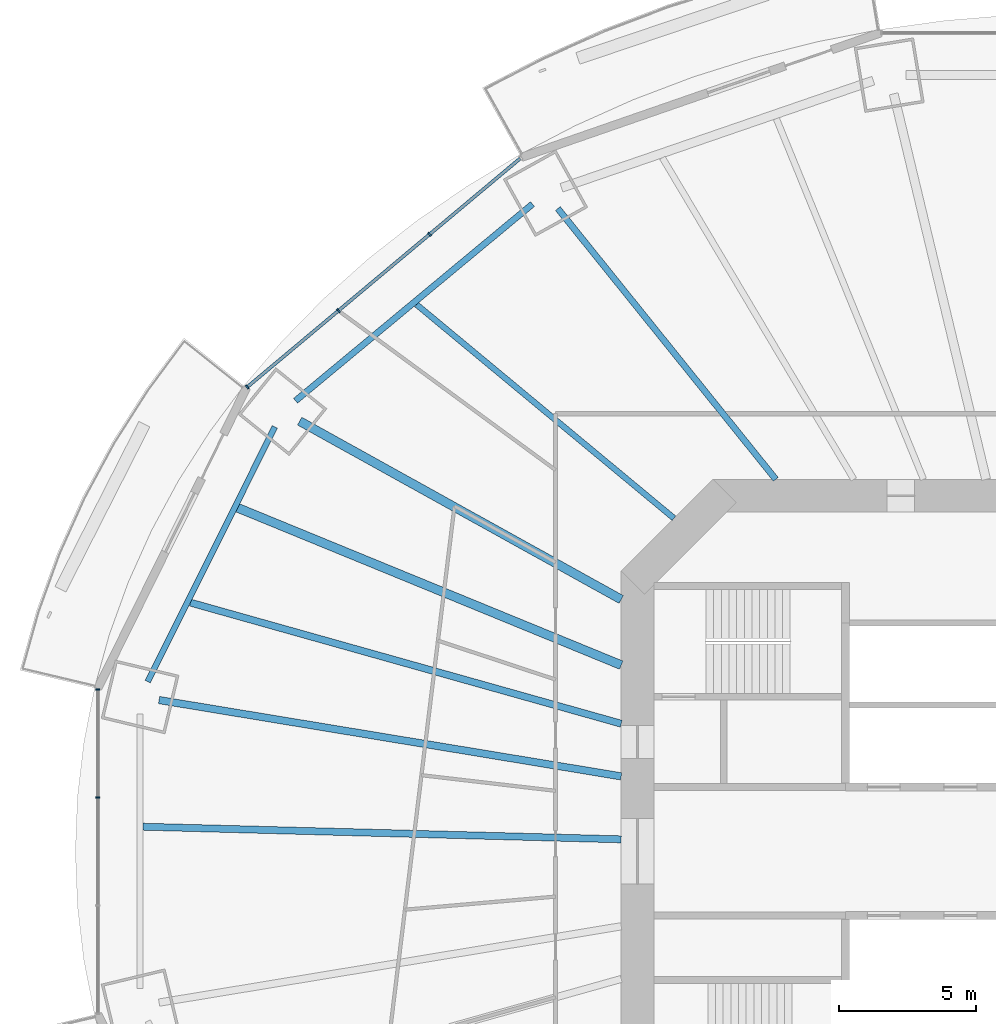
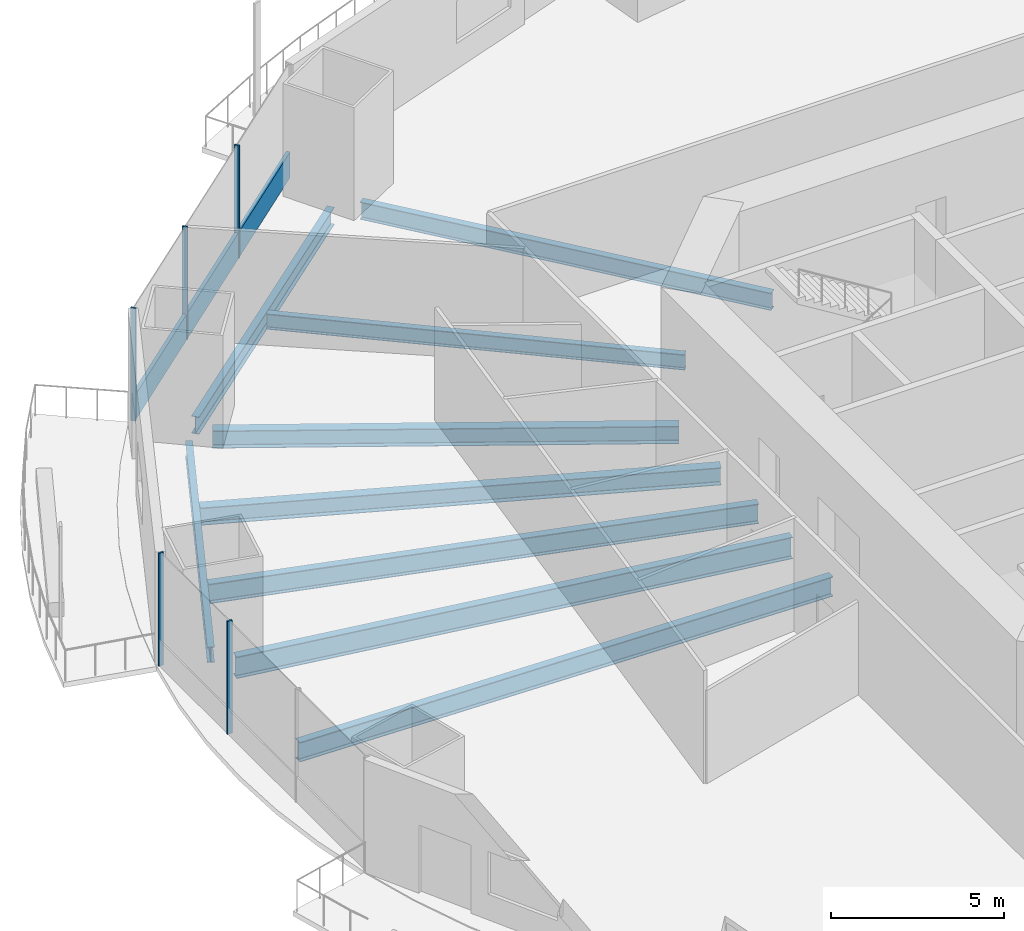
# One storey, part 6 of 23: 9 beams, 6 members, 2 elements without a shape of their own.
"""IFC4 building model written with IfcOpenShell, lengths in metres."""

from ifc_helpers import new_model, si_unit, direction, frame, origin, origin_2d, place, context, subcontext, project, spatial, rectangle, i_section, extrude, material, material_profile, profile_set, type_object, element, aggregate, save


model = new_model("IFC4")

# Units and contexts
model_context = context("Model", 3, precision=1e-05, world=origin(), true_north=direction((0.0, 1.0)))
body_context = subcontext(model_context, "Body", "Model", "MODEL_VIEW")
ifc_project = project(units=[si_unit("LENGTHUNIT", "METRE"), si_unit("AREAUNIT", "SQUARE_METRE"), si_unit("VOLUMEUNIT", "CUBIC_METRE"), si_unit("PLANEANGLEUNIT", "RADIAN"), si_unit("MASSUNIT", "GRAM", prefix="KILO")], contexts=[model_context])

# Site, building, storey
site_placement = place(None, origin())
site = spatial("IfcSite", under=ifc_project, at=site_placement, CompositionType="ELEMENT")
building_placement = place(site_placement, origin())
building = spatial("IfcBuilding", under=site, at=building_placement, Name="Marenthal Gate Tower", CompositionType="ELEMENT")
storey_placement = place(building_placement, frame((0.0, 0.0, 45.449951171875)))
storey = spatial("IfcBuildingStorey", under=building, at=storey_placement, Name="L07", CompositionType="ELEMENT", Elevation=45.449951171875)

# Curtain wall, members
ifc_material_1 = material(Name="Aluminium and glass", Category="aluminium")
curtain_wall_type = type_object("IfcCurtainWallType", Name="Curtain wall typical low", PredefinedType="NOTDEFINED", material=ifc_material_1)
curtain_wall_1_placement = place(storey_placement, origin())
curtain_wall_1 = element("IfcCurtainWall", 1, at=curtain_wall_1_placement, inside=storey, type_object=curtain_wall_type, Name="Curtain wall L07 bay 6", PredefinedType="NOTDEFINED")
ifc_material_2 = material(Name="Aluminium", Category="aluminium")
ifc_material_profile_1 = material_profile(ifc_material_2, rectangle(XDim=0.159912109375, YDim=0.06005859375, at=origin_2d()), Name="60x160 aluminium mullion")
ifc_profile_set_1 = profile_set([ifc_material_profile_1], Name="Aluminium")
member_type_1 = type_object("IfcMemberType", Name="Mullion 60x160 typical low", PredefinedType="MULLION", material=ifc_profile_set_1)
member_1_placement = place(storey_placement, frame((-23.6025390625, 22.5595703125, 0.0), z_axis=(0.0, 0.0, 1.0), x_axis=(0.642047277641, -0.766665046336, 0.0)))
member_1 = element("IfcMember", 2, at=member_1_placement, type_object=member_type_1, Name="Mullion L07 bay 6.2", PredefinedType="MULLION", context=body_context, shape_type="SweptSolid", body=[
    extrude(rectangle(XDim=0.159912109375, YDim=0.06005859375, at=origin_2d()), origin(), (0.0, 0.0, 1.0), 3.969970703125),
])
member_2_placement = place(storey_placement, frame((-26.938232421875, 19.76611328125, 0.0), z_axis=(0.0, 0.0, 1.0), x_axis=(0.642047277641, -0.766665046336, 0.0)))
member_2 = element("IfcMember", 3, at=member_2_placement, type_object=member_type_1, Name="Mullion L07 bay 6.3", PredefinedType="MULLION", context=body_context, shape_type="SweptSolid", body=[
    extrude(rectangle(XDim=0.159912109375, YDim=0.06005859375, at=origin_2d()), origin(), (0.0, 0.0, 1.0), 3.969970703125),
])
member_3_placement = place(storey_placement, frame((-30.274169921875, 16.972412109375, 0.0), z_axis=(0.0, 0.0, 1.0), x_axis=(0.642047277641, -0.766665046336, 0.0)))
member_3 = element("IfcMember", 4, at=member_3_placement, type_object=member_type_1, Name="Mullion L07 bay 6.4", PredefinedType="MULLION", context=body_context, shape_type="SweptSolid", body=[
    extrude(rectangle(XDim=0.159912109375, YDim=0.06005859375, at=origin_2d()), origin(), (0.0, 0.0, 1.0), 3.969970703125),
])

curtain_wall_2_placement = place(storey_placement, origin())
curtain_wall_2 = element("IfcCurtainWall", 5, at=curtain_wall_2_placement, inside=storey, type_object=curtain_wall_type, Name="Curtain wall L07 bay 8", PredefinedType="NOTDEFINED")
member_4_placement = place(storey_placement, frame((-35.73779296875, 5.923095703125, 0.0), z_axis=(0.0, 0.0, 1.0), x_axis=(1.0, 0.0, 0.0)))
member_4 = element("IfcMember", 6, at=member_4_placement, type_object=member_type_1, Name="Mullion L07 bay 8.1", PredefinedType="MULLION", context=body_context, shape_type="SweptSolid", body=[
    extrude(rectangle(XDim=0.159912109375, YDim=0.06005859375, at=origin_2d()), origin(), (0.0, 0.0, 1.0), 3.969970703125),
])
member_5_placement = place(storey_placement, frame((-35.73779296875, 1.974365234375, 0.0), z_axis=(0.0, 0.0, 1.0), x_axis=(1.0, 0.0, 0.0)))
member_5 = element("IfcMember", 7, at=member_5_placement, type_object=member_type_1, Name="Mullion L07 bay 8.2", PredefinedType="MULLION", context=body_context, shape_type="SweptSolid", body=[
    extrude(rectangle(XDim=0.159912109375, YDim=0.06005859375, at=origin_2d()), origin(), (0.0, 0.0, 1.0), 3.969970703125),
])
aggregate(curtain_wall_2, [member_4, member_5])

# Member
ifc_material_3 = material(Name="Aluminium", Category="aluminium")
ifc_material_profile_2 = material_profile(ifc_material_3, rectangle(XDim=0.1201171875, YDim=0.89990234375, at=origin_2d()), Name="120x900 aluminium transom")
ifc_profile_set_2 = profile_set([ifc_material_profile_2], Name="Aluminium")
member_type_2 = type_object("IfcMemberType", Name="Transom 120x900 typical low", PredefinedType="USERDEFINED", material=ifc_profile_set_2)
member_6_placement = place(storey_placement, frame((-20.289794921875, 25.333740234375, 0.449951171875), z_axis=(-0.766672707648, -0.6420381292, 0.0), x_axis=(0.6420381292, -0.766672707648, 0.0)))
member_6 = element("IfcMember", 8, at=member_6_placement, type_object=member_type_2, Name="Transom L07 bay 6", ObjectType="TRANSOM", PredefinedType="USERDEFINED", context=body_context, shape_type="SweptSolid", body=[
    extrude(rectangle(XDim=0.1201171875, YDim=0.89990234375, at=origin_2d()), origin(), (0.0, 0.0, 1.0), 12.9931640625),
])

aggregate(curtain_wall_1, [member_1, member_2, member_3, member_6])

# Beams
ifc_material_4 = material(Name="Steel S355", Category="steel")
ifc_material_profile_3 = material_profile(ifc_material_4, i_section(OverallWidth=0.2119140625, OverallDepth=0.5439453125, WebThickness=0.01318359375, FlangeThickness=0.021240234375, FilletRadius=0.0126953125, at=origin_2d()), Name="W530X123")
ifc_profile_set_3 = profile_set([ifc_material_profile_3], Name="Steel S355")
beam_type_1 = type_object("IfcBeamType", Name="W530X123 beam", PredefinedType="BEAM", material=ifc_profile_set_3)
beam_1_placement = place(storey_placement, frame((-24.085205078125, 19.99267578125, -0.451904296875), z_axis=(0.769446518411, -0.638711245639, 0.0), x_axis=(0.638711245639, 0.769446518411, 0.0)))
element("IfcBeam", 9, at=beam_1_placement, inside=storey, type_object=beam_type_1, Name="BM-L07-25", PredefinedType="BEAM", context=body_context, shape_type="SweptSolid", body=[
    extrude(i_section(OverallWidth=0.2119140625, OverallDepth=0.5439453125, WebThickness=0.01318359375, FlangeThickness=0.021240234375, FilletRadius=0.0126953125, at=origin_2d()), origin(), (0.0, 0.0, 1.0), 12.235595703125),
])
beam_2_placement = place(storey_placement, frame((-29.2626953125, 15.515380859375, -0.451904296875), z_axis=(-0.446499954542, -0.894783655748, 0.0), x_axis=(0.894783655748, -0.446499954542, 0.0)))
element("IfcBeam", 10, at=beam_2_placement, inside=storey, type_object=beam_type_1, Name="BM-L07-47", PredefinedType="BEAM", context=body_context, shape_type="SweptSolid", body=[
    extrude(i_section(OverallWidth=0.2119140625, OverallDepth=0.5439453125, WebThickness=0.01318359375, FlangeThickness=0.021240234375, FilletRadius=0.0126953125, at=origin_2d()), origin(), (0.0, 0.0, 1.0), 10.402099609375),
])
ifc_material_5 = material(Name="Steel S355", Category="steel")
ifc_material_profile_4 = material_profile(ifc_material_5, i_section(OverallWidth=0.22900390625, OverallDepth=0.612060546875, WebThickness=0.011962890625, FlangeThickness=0.01953125, FilletRadius=0.0126953125, at=origin_2d()), Name="W610X125")
ifc_profile_set_4 = profile_set([ifc_material_profile_4], Name="Steel S355")
beam_type_2 = type_object("IfcBeamType", Name="W610X125 beam", PredefinedType="BEAM", material=ifc_profile_set_4)
beam_3_placement = place(storey_placement, frame((-18.916015625, 23.49951171875, -0.48583984375), z_axis=(0.627042105716, -0.778985364214, 0.0), x_axis=(0.778985364214, 0.627042105716, 0.0)))
element("IfcBeam", 11, at=beam_3_placement, inside=storey, type_object=beam_type_2, Name="BM-L07-06", PredefinedType="BEAM", context=body_context, shape_type="SweptSolid", body=[
    extrude(i_section(OverallWidth=0.22900390625, OverallDepth=0.612060546875, WebThickness=0.011962890625, FlangeThickness=0.01953125, FilletRadius=0.0126953125, at=origin_2d()), origin(), (0.0, 0.0, 1.0), 12.7080078125),
])
beam_4_placement = place(storey_placement, frame((-19.8427734375, 23.6630859375, -0.48583984375), z_axis=(-0.76943582663, -0.638724125658, 0.0), x_axis=(0.638724125658, -0.76943582663, 0.0)))
element("IfcBeam", 12, at=beam_4_placement, inside=storey, type_object=beam_type_2, Name="BM-L07-46", PredefinedType="BEAM", context=body_context, shape_type="SweptSolid", body=[
    extrude(i_section(OverallWidth=0.22900390625, OverallDepth=0.612060546875, WebThickness=0.011962890625, FlangeThickness=0.01953125, FilletRadius=0.0126953125, at=origin_2d()), origin(), (0.0, 0.0, 1.0), 11.257080078125),
])
ifc_material_6 = material(Name="Steel S355", Category="steel")
ifc_material_profile_5 = material_profile(ifc_material_6, i_section(OverallWidth=0.324951171875, OverallDepth=0.612060546875, WebThickness=0.0126953125, FlangeThickness=0.01904296875, FilletRadius=0.0126953125, at=origin_2d()), Name="W610X155")
ifc_profile_set_5 = profile_set([ifc_material_profile_5], Name="Steel S355")
beam_type_3 = type_object("IfcBeamType", Name="W610X155 beam", PredefinedType="BEAM", material=ifc_profile_set_5)
beam_5_placement = place(storey_placement, frame((-28.355712890625, 15.727294921875, -0.48583984375), z_axis=(0.874492882968, -0.485038346565, 0.0), x_axis=(0.485038346565, 0.874492882968, 0.0)))
element("IfcBeam", 13, at=beam_5_placement, inside=storey, type_object=beam_type_3, Name="BM-L07-07", PredefinedType="BEAM", context=body_context, shape_type="SweptSolid", body=[
    extrude(i_section(OverallWidth=0.324951171875, OverallDepth=0.612060546875, WebThickness=0.0126953125, FlangeThickness=0.01904296875, FilletRadius=0.0126953125, at=origin_2d()), origin(), (0.0, 0.0, 1.0), 13.44287109375),
])
beam_6_placement = place(storey_placement, frame((-30.6201171875, 12.55810546875, -0.48583984375), z_axis=(0.925210391668, -0.379454517894, 0.0), x_axis=(0.379454517894, 0.925210391668, 0.0)))
element("IfcBeam", 14, at=beam_6_placement, inside=storey, type_object=beam_type_3, Name="BM-L07-26", PredefinedType="BEAM", context=body_context, shape_type="SweptSolid", body=[
    extrude(i_section(OverallWidth=0.324951171875, OverallDepth=0.612060546875, WebThickness=0.0126953125, FlangeThickness=0.01904296875, FilletRadius=0.0126953125, at=origin_2d()), origin(), (0.0, 0.0, 1.0), 15.1533203125),
])
ifc_material_7 = material(Name="Steel S355", Category="steel")
ifc_material_profile_6 = material_profile(ifc_material_7, i_section(OverallWidth=0.257080078125, OverallDepth=0.693115234375, WebThickness=0.014404296875, FlangeThickness=0.023681640625, FilletRadius=0.015380859375, at=origin_2d()), Name="W690X170")
ifc_profile_set_6 = profile_set([ifc_material_profile_6], Name="Steel S355")
beam_type_4 = type_object("IfcBeamType", Name="W690X170 beam", PredefinedType="BEAM", material=ifc_profile_set_6)
beam_7_placement = place(storey_placement, frame((-32.349365234375, 9.092529296875, -0.5263671875), z_axis=(0.962694320478, -0.27059128833, 0.0), x_axis=(0.27059128833, 0.962694320478, 0.0)))
element("IfcBeam", 15, at=beam_7_placement, inside=storey, type_object=beam_type_4, Name="BM-L07-27", PredefinedType="BEAM", context=body_context, shape_type="SweptSolid", body=[
    extrude(i_section(OverallWidth=0.257080078125, OverallDepth=0.693115234375, WebThickness=0.014404296875, FlangeThickness=0.023681640625, FilletRadius=0.015380859375, at=origin_2d()), origin(), (0.0, 0.0, 1.0), 16.359619140625),
])
beam_8_placement = place(storey_placement, frame((-34.082275390625, 0.900390625, -0.5263671875), z_axis=(0.999651121674, -0.026412779787, 0.0), x_axis=(0.026412779787, 0.999651121674, 0.0)))
element("IfcBeam", 16, at=beam_8_placement, inside=storey, type_object=beam_type_4, Name="BM-L07-28", PredefinedType="BEAM", context=body_context, shape_type="SweptSolid", body=[
    extrude(i_section(OverallWidth=0.257080078125, OverallDepth=0.693115234375, WebThickness=0.014404296875, FlangeThickness=0.023681640625, FilletRadius=0.015380859375, at=origin_2d()), origin(), (0.0, 0.0, 1.0), 17.48828125),
])
ifc_material_8 = material(Name="Steel S355", Category="steel")
ifc_material_profile_7 = material_profile(ifc_material_8, i_section(OverallWidth=0.26708984375, OverallDepth=0.761962890625, WebThickness=0.014404296875, FlangeThickness=0.021484375, FilletRadius=0.0166015625, at=origin_2d()), Name="W760X173")
ifc_profile_set_7 = profile_set([ifc_material_profile_7], Name="Steel S355")
beam_type_5 = type_object("IfcBeamType", Name="W760X173 beam", PredefinedType="BEAM", material=ifc_profile_set_7)
beam_9_placement = place(storey_placement, frame((-33.494384765625, 5.530517578125, -0.56103515625), z_axis=(0.986640584699, -0.162912113192, 0.0), x_axis=(0.162912113192, 0.986640584699, 0.0)))
element("IfcBeam", 17, at=beam_9_placement, inside=storey, type_object=beam_type_5, Name="BM-L07-08", PredefinedType="BEAM", context=body_context, shape_type="SweptSolid", body=[
    extrude(i_section(OverallWidth=0.26708984375, OverallDepth=0.761962890625, WebThickness=0.014404296875, FlangeThickness=0.021484375, FilletRadius=0.0166015625, at=origin_2d()), origin(), (0.0, 0.0, 1.0), 17.123046875),
])

save(model, "model.ifc")
